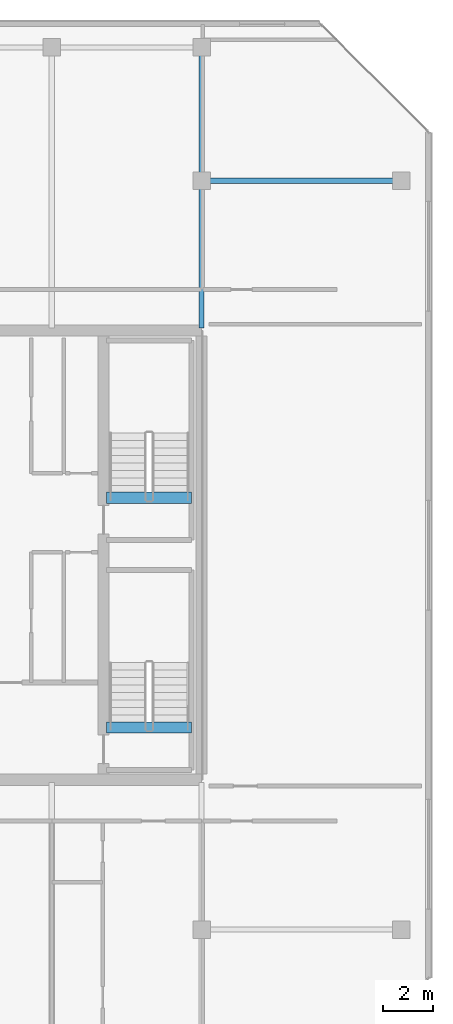
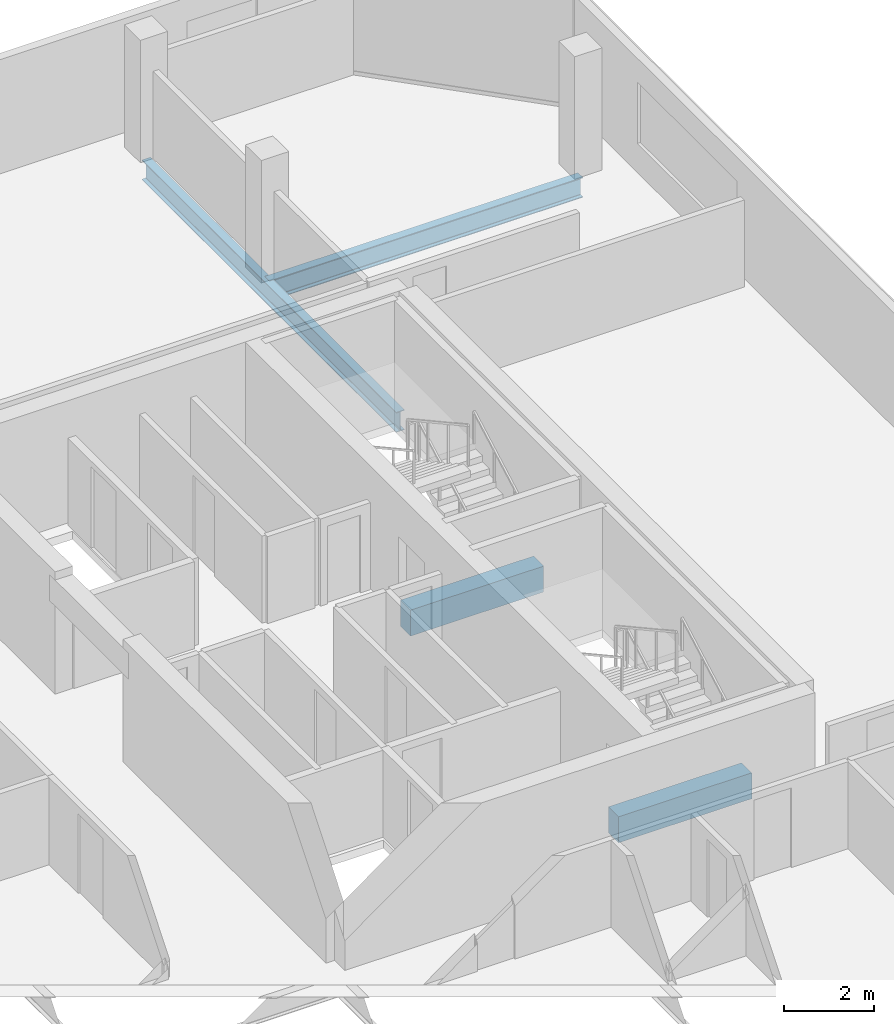
# One storey, part 17 of 29: 4 beams.
"""IFC4 building model written with IfcOpenShell, lengths in metres."""

from ifc_helpers import new_model, si_unit, direction, frame, origin, origin_2d, place, context, subcontext, project, spatial, rectangle, i_section, extrude, material, material_profile, profile_set, type_object, element, save


model = new_model("IFC4")

# Units and contexts
model_context = context("Model", 3, precision=1e-05, world=origin(), true_north=direction((0.0, 1.0)))
body_context = subcontext(model_context, "Body", "Model", "MODEL_VIEW")
ifc_project = project(units=[si_unit("LENGTHUNIT", "METRE"), si_unit("AREAUNIT", "SQUARE_METRE"), si_unit("VOLUMEUNIT", "CUBIC_METRE"), si_unit("PLANEANGLEUNIT", "RADIAN"), si_unit("MASSUNIT", "GRAM", prefix="KILO")], contexts=[model_context])

# Site, building, storey
site_placement = place(None, origin())
site = spatial("IfcSite", under=ifc_project, at=site_placement, CompositionType="ELEMENT")
building_placement = place(site_placement, origin())
building = spatial("IfcBuilding", under=site, at=building_placement, Name="Tanjung Sevakor Pilgrim Tower", CompositionType="ELEMENT")
storey_placement = place(building_placement, frame((0.0, 0.0, 235.949951171875)))
storey = spatial("IfcBuildingStorey", under=building, at=storey_placement, Name="L66", CompositionType="ELEMENT", Elevation=235.949951171875)

# Beams
ifc_material_1 = material(Name="Steel S355J2", Category="steel")
ifc_material_profile_1 = material_profile(ifc_material_1, i_section(OverallWidth=0.2119140625, OverallDepth=0.54443359375, WebThickness=0.0126953125, FlangeThickness=0.021240234375, FilletRadius=0.0126953125, at=origin_2d()))
ifc_profile_set_1 = profile_set([ifc_material_profile_1], Name="Steel S355J2")
beam_type_1 = type_object("IfcBeamType", Name="BM-B-G5-UB_533x210x122", PredefinedType="BEAM", material=ifc_profile_set_1)
beam_1_placement = place(storey_placement, frame((90.0, 48.60009765625, -0.4921875), z_axis=(1.0, 0.0, 0.0), x_axis=(0.0, 1.0, 0.0)))
element("IfcBeam", 1, at=beam_1_placement, inside=storey, type_object=beam_type_1, Name="L66 East Peak Wing Girder Y48.6", PredefinedType="BEAM", context=body_context, shape_type="SweptSolid", body=[
    extrude(i_section(OverallWidth=0.2119140625, OverallDepth=0.54443359375, WebThickness=0.0126953125, FlangeThickness=0.021240234375, FilletRadius=0.0126953125, at=origin_2d()), origin(), (0.0, 0.0, 1.0), 8.0),
])
ifc_material_2 = material(Name="Steel S355J2", Category="steel")
ifc_material_profile_2 = material_profile(ifc_material_2, i_section(OverallWidth=0.210693359375, OverallDepth=0.53955078125, WebThickness=0.01171875, FlangeThickness=0.018798828125, FilletRadius=0.0126953125, at=origin_2d()))
ifc_profile_set_2 = profile_set([ifc_material_profile_2], Name="Steel S355J2")
beam_type_2 = type_object("IfcBeamType", Name="BM-B-G6-UB_533x210x109", PredefinedType="BEAM", material=ifc_profile_set_2)
beam_2_placement = place(storey_placement, frame((90.0, 42.7060546875, -0.48974609375), z_axis=(0.0, 1.0, 0.0), x_axis=(-1.0, 0.0, 0.0)))
element("IfcBeam", 2, at=beam_2_placement, inside=storey, type_object=beam_type_2, Name="L66 EAST Girder 010", PredefinedType="BEAM", context=body_context, shape_type="SweptSolid", body=[
    extrude(i_section(OverallWidth=0.210693359375, OverallDepth=0.53955078125, WebThickness=0.01171875, FlangeThickness=0.018798828125, FilletRadius=0.0126953125, at=origin_2d()), origin(), (0.0, 0.0, 1.0), 11.243896484375),
])
ifc_material_3 = material(Name="Concrete C60/75", Category="concrete")
ifc_material_profile_3 = material_profile(ifc_material_3, rectangle(XDim=0.449951171875, YDim=0.699951171875, at=origin_2d()))
ifc_profile_set_3 = profile_set([ifc_material_profile_3], Name="Concrete C60/75")
beam_type_3 = type_object("IfcBeamType", Name="BM-B-LN3-RC-BM_450x700", PredefinedType="LINTEL", material=ifc_profile_set_3)
for number, where, z_axis, x_axis, name in (
    (3, (86.199951171875, 26.699951171875, -0.349853515625), (1.0, 0.0, 0.0), (0.0, 1.0, 0.0), "L66 TS-E1 Stair Threshold Beam"),
    (4, (86.199951171875, 35.89990234375, -0.349853515625), (1.0, 0.0, 0.0), (0.0, 1.0, 0.0), "L66 TS-E2 Stair Threshold Beam"),
):
    element("IfcBeam", number, at=place(storey_placement, frame(where, z_axis=z_axis, x_axis=x_axis)), inside=storey, type_object=beam_type_3, Name=name, PredefinedType="LINTEL", context=body_context, shape_type="SweptSolid", body=[
        extrude(rectangle(XDim=0.449951171875, YDim=0.699951171875, at=origin_2d()), origin(), (0.0, 0.0, 1.0), 3.400146484375),
    ])

save(model, "model.ifc")
